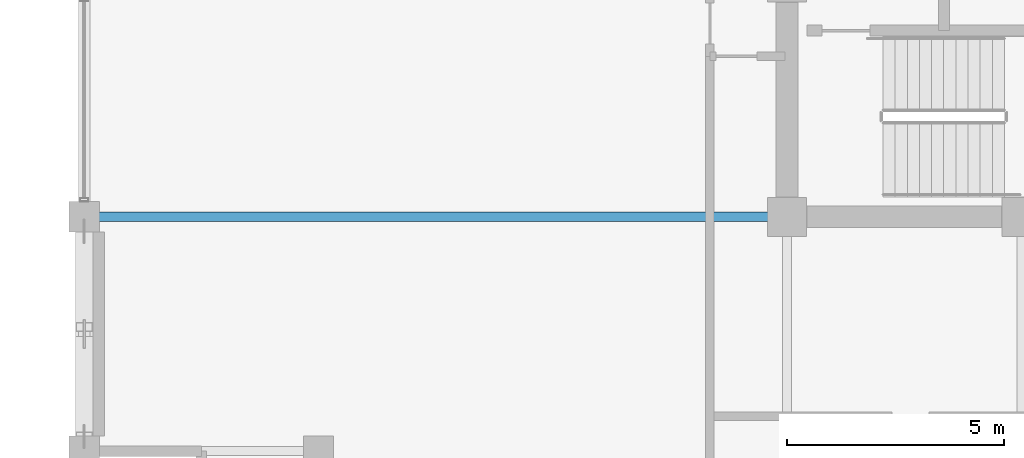
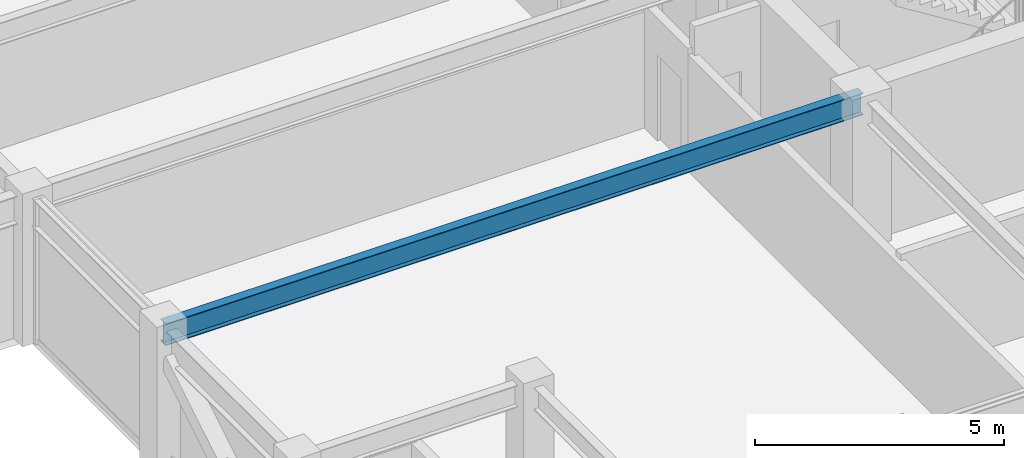
# One storey, part 5 of 29: 1 beam.
"""IFC4 building model written with IfcOpenShell, lengths in metres."""

from ifc_helpers import new_model, si_unit, direction, frame, origin, origin_2d, place, context, subcontext, project, spatial, i_section, extrude, material, material_profile, profile_set, type_object, element, save


model = new_model("IFC4")

# Units and contexts
model_context = context("Model", 3, precision=1e-05, world=origin(), true_north=direction((0.0, 1.0)))
body_context = subcontext(model_context, "Body", "Model", "MODEL_VIEW")
ifc_project = project(units=[si_unit("LENGTHUNIT", "METRE"), si_unit("AREAUNIT", "SQUARE_METRE"), si_unit("VOLUMEUNIT", "CUBIC_METRE"), si_unit("PLANEANGLEUNIT", "RADIAN"), si_unit("MASSUNIT", "GRAM", prefix="KILO")], contexts=[model_context])

# Site, building, storey
site_placement = place(None, origin())
site = spatial("IfcSite", under=ifc_project, at=site_placement, CompositionType="ELEMENT")
building_placement = place(site_placement, origin())
building = spatial("IfcBuilding", under=site, at=building_placement, Name="Surkhivell Harbour Commons", CompositionType="ELEMENT")
storey_placement = place(building_placement, frame((0.0, 0.0, 273.75)))
storey = spatial("IfcBuildingStorey", under=building, at=storey_placement, Name="L71", CompositionType="ELEMENT", Elevation=273.75)

# Beam
ifc_material = material(Name="Steel S355", Category="steel")
ifc_material_profile = material_profile(ifc_material, i_section(OverallWidth=0.2099609375, OverallDepth=0.537109375, WebThickness=0.0107421875, FlangeThickness=0.017333984375, at=origin_2d()), Name="UB533x210x101")
ifc_profile_set = profile_set([ifc_material_profile], Name="Steel S355")
beam_type = type_object("IfcBeamType", Name="BM-GRD-533B", PredefinedType="BEAM", material=ifc_profile_set)
beam_placement = place(storey_placement, frame((-27.0, -10.800048828125, 3.301513671875), z_axis=(1.0, 0.0, 0.0), x_axis=(0.0, 1.0, 0.0)))
element("IfcBeam", 1, at=beam_placement, inside=storey, type_object=beam_type, Name="L71 Floor Girder (-27.0,-10.8)", PredefinedType="BEAM", context=body_context, shape_type="SweptSolid", body=[
    extrude(i_section(OverallWidth=0.2099609375, OverallDepth=0.537109375, WebThickness=0.0107421875, FlangeThickness=0.017333984375, at=origin_2d()), origin(), (0.0, 0.0, 1.0), 16.199951171875),
])

save(model, "model.ifc")
